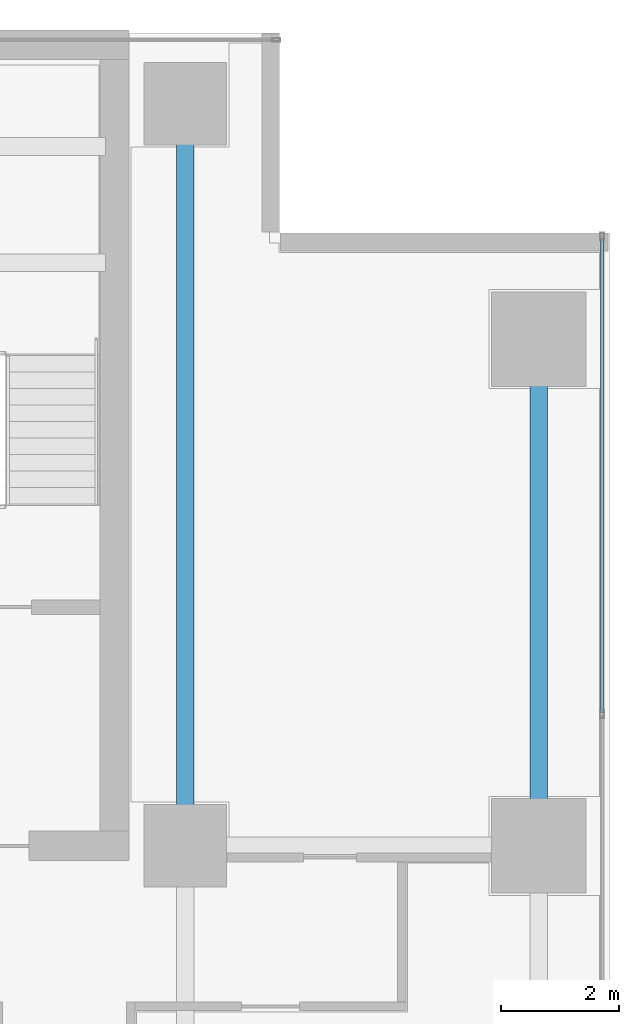
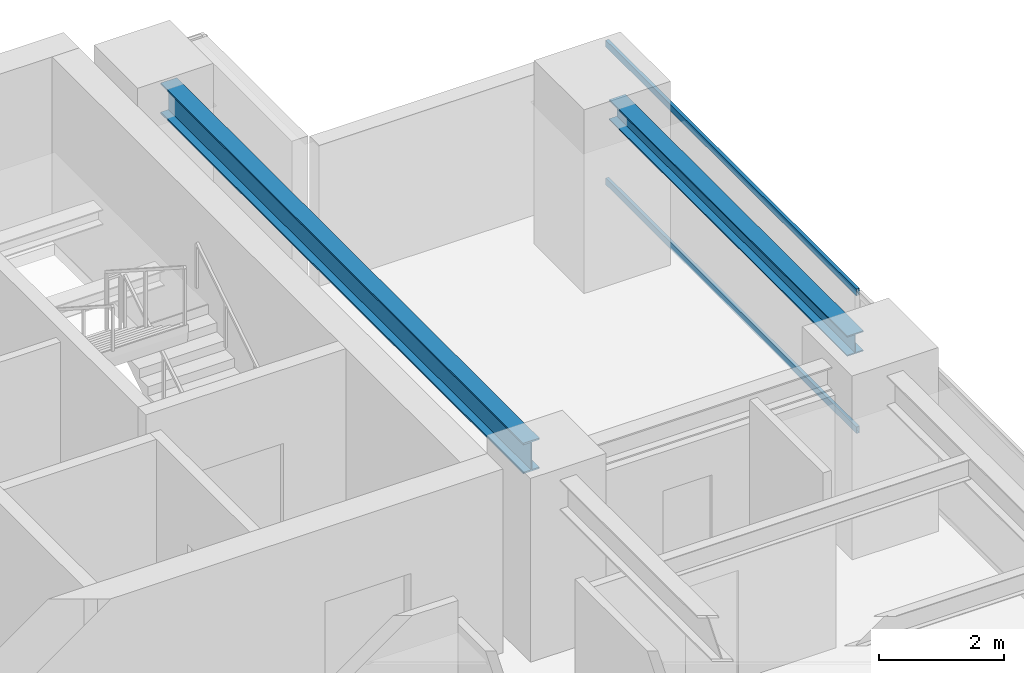
# One storey, part 18 of 28: 2 beams, 2 members, 1 element without a shape of its own.
"""IFC4 building model written with IfcOpenShell, lengths in metres."""

from ifc_helpers import new_model, si_unit, direction, frame, origin, origin_2d, place, context, subcontext, project, spatial, hollow_rectangle, i_section, extrude, source, transform, mapped, material, layer, layer_set, material_profile, profile_set, type_object, element, aggregate, save


model = new_model("IFC4")

# Units and contexts
model_context = context("Model", 3, precision=1e-05, world=origin(), true_north=direction((0.0, 1.0)))
body_context = subcontext(model_context, "Body", "Model", "MODEL_VIEW")
ifc_project = project(units=[si_unit("LENGTHUNIT", "METRE"), si_unit("AREAUNIT", "SQUARE_METRE"), si_unit("VOLUMEUNIT", "CUBIC_METRE"), si_unit("PLANEANGLEUNIT", "RADIAN"), si_unit("MASSUNIT", "GRAM", prefix="KILO")], contexts=[model_context])

# Site, building, storey
site_placement = place(None, origin())
site = spatial("IfcSite", under=ifc_project, at=site_placement, CompositionType="ELEMENT")
building_placement = place(site_placement, origin())
building = spatial("IfcBuilding", under=site, at=building_placement, Name="Sumidabori Civic Tower", CompositionType="ELEMENT")
storey_placement = place(building_placement, frame((0.0, 0.0, 210.800048828125)))
storey = spatial("IfcBuildingStorey", under=building, at=storey_placement, Name="L54", CompositionType="ELEMENT", Elevation=210.800048828125)

# Beams
ifc_material_1 = material(Name="Steel SN490", Category="steel")
ifc_material_profile_1 = material_profile(ifc_material_1, i_section(OverallWidth=0.300048828125, OverallDepth=0.39990234375, WebThickness=0.013427734375, FlangeThickness=0.02392578125, at=origin_2d()), Name="HE 400 B")
ifc_profile_set_1 = profile_set([ifc_material_profile_1], Name="Steel SN490")
beam_type_1 = type_object("IfcBeamType", Name="BM-GIRD-400", PredefinedType="BEAM", material=ifc_profile_set_1)
shared_shape_1 = source(origin(), body_context, "Body", "SweptSolid", [
    extrude(i_section(OverallWidth=0.300048828125, OverallDepth=0.39990234375, WebThickness=0.013427734375, FlangeThickness=0.02392578125, at=origin_2d()), origin(), (0.0, 0.0, 1.0), 7.64013671875),
])
beam_1_placement = place(storey_placement, frame((22.800048828125, 10.679931640625, 3.179931640625), z_axis=(0.0, 1.0, 0.0), x_axis=(-1.0, 0.0, 0.0)))
element("IfcBeam", 1, at=beam_1_placement, inside=storey, type_object=beam_type_1, Name="Primary Girder L54 GY-24", PredefinedType="BEAM", context=body_context, shape_type="MappedRepresentation", body=[
    mapped(shared_shape_1, transform((0.0, 0.0, 0.0), x_axis=(1.0, 0.0, 0.0), y_axis=(0.0, 1.0, 0.0), z_axis=(0.0, 0.0, 1.0), scale=1.0)),
])
ifc_material_profile_2 = material_profile(ifc_material_1, i_section(OverallWidth=0.300048828125, OverallDepth=0.60009765625, WebThickness=0.015380859375, FlangeThickness=0.030029296875, at=origin_2d()), Name="HE 600 B")
ifc_profile_set_2 = profile_set([ifc_material_profile_2], Name="Steel SN490")
beam_type_2 = type_object("IfcBeamType", Name="BM-GIRD-600", PredefinedType="BEAM", material=ifc_profile_set_2)
shared_shape_2 = source(origin(), body_context, "Body", "SweptSolid", [
    extrude(i_section(OverallWidth=0.300048828125, OverallDepth=0.60009765625, WebThickness=0.015380859375, FlangeThickness=0.030029296875, at=origin_2d()), origin(), (0.0, 0.0, 1.0), 11.64013671875),
])
beam_2_placement = place(storey_placement, frame((16.800048828125, 10.679931640625, 3.079833984375), z_axis=(0.0, 1.0, 0.0), x_axis=(-1.0, 0.0, 0.0)))
element("IfcBeam", 2, at=beam_2_placement, inside=storey, type_object=beam_type_2, Name="Primary Girder L54 GY-21", PredefinedType="BEAM", context=body_context, shape_type="MappedRepresentation", body=[
    mapped(shared_shape_2, transform((0.0, 0.0, 0.0), x_axis=(1.0, 0.0, 0.0), y_axis=(0.0, 1.0, 0.0), z_axis=(0.0, 0.0, 1.0), scale=1.0)),
])

# Curtain wall, members
ifc_material_2 = material(Name="Anodised Bronze Aluminium AW-6063-T6", Category="aluminium")
ifc_layer = layer(ifc_material_2, 0.179931640625, Name="Anodised Bronze Aluminium AW-6063-T6")
ifc_layer_set = layer_set([ifc_layer], Name="Anodised Bronze Aluminium AW-6063-T6")
curtain_wall_type = type_object("IfcCurtainWallType", Name="CW-SYS-5", PredefinedType="NOTDEFINED", material=ifc_layer_set)
curtain_wall_placement = place(storey_placement, origin())
curtain_wall = element("IfcCurtainWall", 3, at=curtain_wall_placement, inside=storey, type_object=curtain_wall_type, Name="Curtain Wall CW:L54:R10", PredefinedType="NOTDEFINED")
ifc_material_profile_3 = material_profile(ifc_material_2, hollow_rectangle(XDim=0.06005859375, YDim=0.1298828125, WallThickness=0.0048828125, at=origin_2d()), Name="ALU TRANSOM 130x60")
ifc_profile_set_3 = profile_set([ifc_material_profile_3], Name="Anodised Bronze Aluminium AW-6063-T6")
member_type = type_object("IfcMemberType", Name="CW-TRN-130", PredefinedType="USERDEFINED", material=ifc_profile_set_3)
shared_shape_3 = source(origin(), body_context, "Body", "SweptSolid", [
    extrude(hollow_rectangle(XDim=0.06005859375, YDim=0.1298828125, WallThickness=0.0048828125, at=origin_2d()), origin(), (0.0, 0.0, 1.0), 8.044921875),
])
member_1_placement = place(storey_placement, frame((23.8798828125, 12.465087890625, 0.030029296875), z_axis=(0.0, 1.0, 0.0), x_axis=(-1.0, 0.0, 0.0)))
member_1 = element("IfcMember", 4, at=member_1_placement, type_object=member_type, Name="CW-5 transom 4.1", ObjectType="TRANSOM", PredefinedType="USERDEFINED", context=body_context, shape_type="MappedRepresentation", body=[
    mapped(shared_shape_3, transform((0.0, 0.0, 0.0), x_axis=(1.0, 0.0, 0.0), y_axis=(0.0, 1.0, 0.0), z_axis=(0.0, 0.0, 1.0), scale=1.0)),
])
member_2_placement = place(storey_placement, frame((23.8798828125, 12.465087890625, 2.72998046875), z_axis=(0.0, 1.0, 0.0), x_axis=(-1.0, 0.0, 0.0)))
member_2 = element("IfcMember", 5, at=member_2_placement, type_object=member_type, Name="CW-5 transom 4.2", ObjectType="TRANSOM", PredefinedType="USERDEFINED", context=body_context, shape_type="MappedRepresentation", body=[
    mapped(shared_shape_3, transform((0.0, 0.0, 0.0), x_axis=(1.0, 0.0, 0.0), y_axis=(0.0, 1.0, 0.0), z_axis=(0.0, 0.0, 1.0), scale=1.0)),
])
aggregate(curtain_wall, [member_1, member_2])

save(model, "model.ifc")
